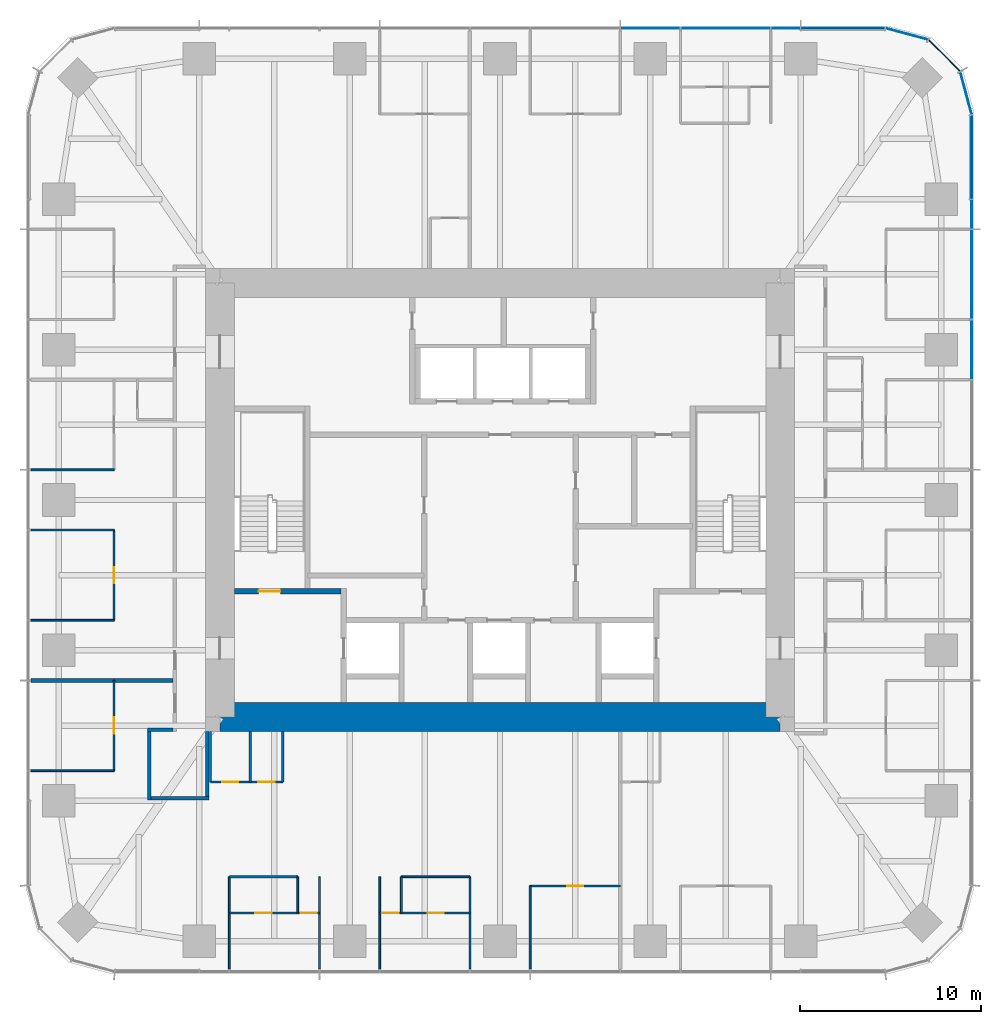
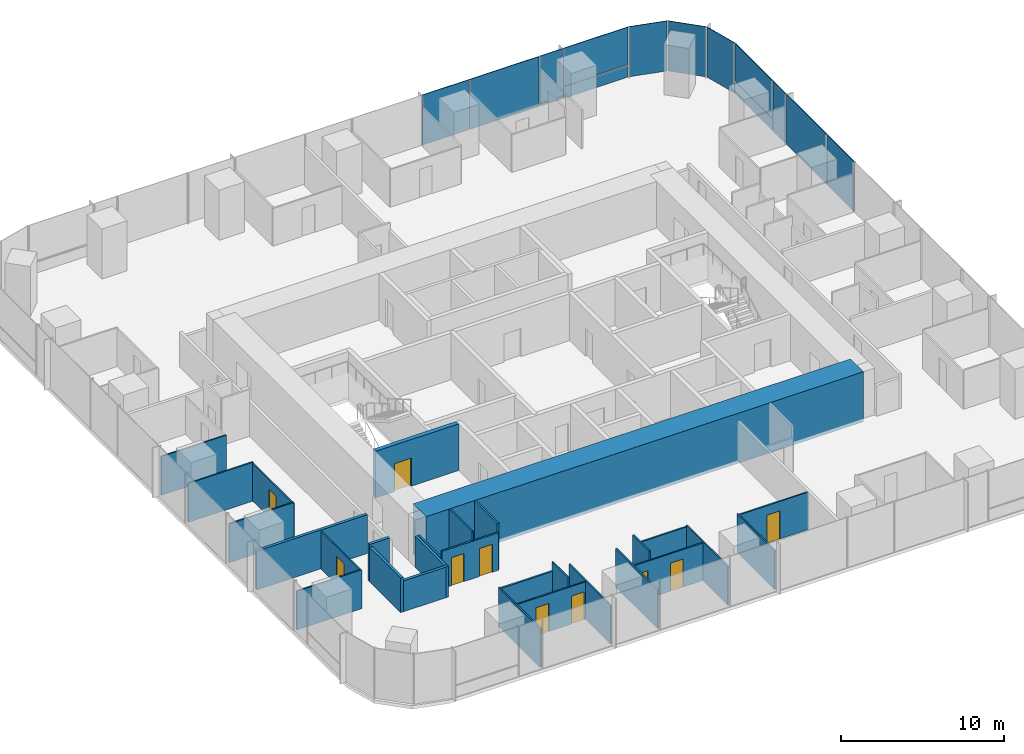
# One storey, part 8 of 12: 29 walls, 13 plates, 10 doors, 10 openings, 3 elements without a shape of their own.
"""IFC4 building model written with IfcOpenShell, lengths in metres."""

from ifc_helpers import new_model, si_unit, direction, frame, frame_2d, origin, origin_2d, place, context, subcontext, project, spatial, rectangle, extrude, material, layer, layer_set, type_object, element, fill, aggregate, save


model = new_model("IFC4")

# Units and contexts
model_context = context("Model", 3, precision=1e-05, world=origin(), true_north=direction((0.0, 1.0)))
body_context = subcontext(model_context, "Body", "Model", "MODEL_VIEW")
ifc_project = project(units=[si_unit("LENGTHUNIT", "METRE"), si_unit("AREAUNIT", "SQUARE_METRE"), si_unit("VOLUMEUNIT", "CUBIC_METRE"), si_unit("PLANEANGLEUNIT", "RADIAN"), si_unit("MASSUNIT", "GRAM", prefix="KILO")], contexts=[model_context])

# Site, building, storey
site_placement = place(None, origin())
site = spatial("IfcSite", under=ifc_project, at=site_placement, CompositionType="ELEMENT")
building_placement = place(site_placement, origin())
building = spatial("IfcBuilding", under=site, at=building_placement, Name="Khuree Lantern Residences", CompositionType="ELEMENT")
storey_placement = place(building_placement, frame((0.0, 0.0, 229.5)))
storey = spatial("IfcBuildingStorey", under=building, at=storey_placement, Name="L57", CompositionType="ELEMENT", Elevation=229.5)

# Curtain wall, plates
ifc_material_1 = material(Name="Bronze anodised aluminium", Category="aluminium")
curtain_wall_type_1 = type_object("IfcCurtainWallType", Name="CW-T2 TOWER CORNER CURTAIN WALL", PredefinedType="USERDEFINED", material=ifc_material_1)
curtain_wall_1_placement = place(storey_placement, origin())
curtain_wall_1 = element("IfcCurtainWall", 1, at=curtain_wall_1_placement, inside=storey, type_object=curtain_wall_type_1, Name="L57 NORTH-EAST CORNER CURTAIN WALL", ObjectType="Faceted corner curtain wall", PredefinedType="USERDEFINED")
ifc_material_2 = material(Name="Bronze tinted triple glazing", Category="glass")
ifc_layer_1 = layer(ifc_material_2, 0.048095703125)
ifc_layer_set_1 = layer_set([ifc_layer_1], Name="FACET PANEL P4")
plate_type_1 = type_object("IfcPlateType", Name="FACET PANEL P4", PredefinedType="CURTAIN_PANEL", material=ifc_layer_set_1)
plate_1_placement = place(storey_placement, frame((25.779052734375, 22.498046875, 0.0), z_axis=(0.0, 0.0, 1.0), x_axis=(-0.258819021888, 0.965925832509, 0.0)))
plate_1 = element("IfcPlate", 2, at=plate_1_placement, type_object=plate_type_1, Name="L57 NORTH-EAST CORNER PANEL 15.1", PredefinedType="CURTAIN_PANEL", context=body_context, shape_type="SweptSolid", body=[
    extrude(rectangle(XDim=2.40869140625, YDim=0.048095703125, at=origin_2d()), origin(), (0.0, 0.0, 1.0), 3.75),
])
plate_2_placement = place(storey_placement, frame((24.578369140625, 24.578369140625, 0.0), z_axis=(0.0, 0.0, 1.0), x_axis=(-0.707106781187, 0.707106781187, 0.0)))
plate_2 = element("IfcPlate", 3, at=plate_2_placement, type_object=plate_type_1, Name="L57 NORTH-EAST CORNER PANEL 16.1", PredefinedType="CURTAIN_PANEL", context=body_context, shape_type="SweptSolid", body=[
    extrude(rectangle(XDim=2.404541015625, YDim=0.048095703125, at=origin_2d()), origin(), (0.0, 0.0, 1.0), 3.75),
])
plate_3_placement = place(storey_placement, frame((22.498046875, 25.779052734375, 0.0), z_axis=(0.0, 0.0, 1.0), x_axis=(-0.965925832509, 0.258819021888, 0.0)))
plate_3 = element("IfcPlate", 4, at=plate_3_placement, type_object=plate_type_1, Name="L57 NORTH-EAST CORNER PANEL 17.1", PredefinedType="CURTAIN_PANEL", context=body_context, shape_type="SweptSolid", body=[
    extrude(rectangle(XDim=2.40869140625, YDim=0.048095703125, at=origin_2d()), origin(), (0.0, 0.0, 1.0), 3.75),
])
aggregate(curtain_wall_1, [plate_1, plate_2, plate_3])

# Curtain wall, plate
curtain_wall_type_2 = type_object("IfcCurtainWallType", Name="CW-T1 TOWER FACE CURTAIN WALL", PredefinedType="USERDEFINED", material=ifc_material_1)
curtain_wall_2_placement = place(storey_placement, origin())
curtain_wall_2 = element("IfcCurtainWall", 5, at=curtain_wall_2_placement, inside=storey, type_object=curtain_wall_type_2, Name="L57 EAST FACE CURTAIN WALL", ObjectType="Stick-built curtain wall", PredefinedType="USERDEFINED")
ifc_material_3 = material(Name="Bronze tinted triple glazing with a ceramic-fritted spandrel band", Category="glass")
ifc_layer_2 = layer(ifc_material_3, 0.048095703125)
ifc_layer_set_2 = layer_set([ifc_layer_2], Name="FIXED LIGHT PANEL P11")
plate_type_2 = type_object("IfcPlateType", Name="FIXED LIGHT PANEL P11", PredefinedType="CURTAIN_PANEL", material=ifc_layer_set_2)
plate_4_placement = place(storey_placement, frame((26.10009765625, 12.47998046875, 0.0), z_axis=(0.0, 0.0, 1.0), x_axis=(0.0, 1.0, 0.0)))
plate_4 = element("IfcPlate", 6, at=plate_4_placement, type_object=plate_type_2, Name="L57 EAST FACE PANEL 12.1", PredefinedType="CURTAIN_PANEL", context=body_context, shape_type="SweptSolid", body=[
    extrude(rectangle(XDim=4.927001953125, YDim=0.048095703125, at=origin_2d()), origin(), (0.0, 0.0, 1.0), 3.75),
])

curtain_wall_3_placement = place(storey_placement, origin())
curtain_wall_3 = element("IfcCurtainWall", 7, at=curtain_wall_3_placement, inside=storey, type_object=curtain_wall_type_2, Name="L57 NORTH FACE CURTAIN WALL", ObjectType="Stick-built curtain wall", PredefinedType="USERDEFINED")
plate_5_placement = place(storey_placement, frame((12.47998046875, 26.10009765625, 0.0), z_axis=(0.0, 0.0, 1.0), x_axis=(-1.0, 0.0, 0.0)))
plate_5 = element("IfcPlate", 8, at=plate_5_placement, type_object=plate_type_2, Name="L57 NORTH FACE PANEL 20.1", PredefinedType="CURTAIN_PANEL", context=body_context, shape_type="SweptSolid", body=[
    extrude(rectangle(XDim=4.927001953125, YDim=0.048095703125, at=origin_2d()), origin(), (0.0, 0.0, 1.0), 3.75),
])

# Plate
ifc_material_4 = material(Name="Bronze tinted triple glazing, two aluminium-framed sashes in one frame", Category="aluminium")
ifc_layer_3 = layer(ifc_material_4, 0.048095703125)
ifc_layer_set_3 = layer_set([ifc_layer_3], Name="SASH PAIR PANEL P12")
plate_type_3 = type_object("IfcPlateType", Name="SASH PAIR PANEL P12", PredefinedType="CURTAIN_PANEL", material=ifc_layer_set_3)
plate_6_placement = place(storey_placement, frame((26.10009765625, 8.320068359375, 0.0), z_axis=(0.0, 0.0, 1.0), x_axis=(0.0, 1.0, 0.0)))
plate_6 = element("IfcPlate", 9, at=plate_6_placement, type_object=plate_type_3, Name="L57 EAST FACE PANEL 11.1", PredefinedType="CURTAIN_PANEL", context=body_context, shape_type="SweptSolid", body=[
    extrude(rectangle(XDim=3.262939453125, YDim=0.048095703125, at=origin_2d()), origin(), (0.0, 0.0, 1.0), 3.75),
])

plate_7_placement = place(storey_placement, frame((8.320068359375, 26.10009765625, 0.0), z_axis=(0.0, 0.0, 1.0), x_axis=(-1.0, 0.0, 0.0)))
plate_7 = element("IfcPlate", 10, at=plate_7_placement, type_object=plate_type_3, Name="L57 NORTH FACE PANEL 21.1", PredefinedType="CURTAIN_PANEL", context=body_context, shape_type="SweptSolid", body=[
    extrude(rectangle(XDim=3.262939453125, YDim=0.048095703125, at=origin_2d()), origin(), (0.0, 0.0, 1.0), 3.75),
])

ifc_material_5 = material(Name="Bronze tinted triple glazing, aluminium-framed sash", Category="aluminium")
ifc_layer_4 = layer(ifc_material_5, 0.048095703125)
ifc_layer_set_4 = layer_set([ifc_layer_4], Name="SASH PANEL P3")
plate_type_4 = type_object("IfcPlateType", Name="SASH PANEL P3", PredefinedType="CURTAIN_PANEL", material=ifc_layer_set_4)
plate_8_placement = place(storey_placement, frame((26.10009765625, 15.80810546875, 0.0), z_axis=(0.0, 0.0, 1.0), x_axis=(0.0, 1.0, 0.0)))
plate_8 = element("IfcPlate", 11, at=plate_8_placement, type_object=plate_type_4, Name="L57 EAST FACE PANEL 13.1", PredefinedType="CURTAIN_PANEL", context=body_context, shape_type="SweptSolid", body=[
    extrude(rectangle(XDim=1.59912109375, YDim=0.048095703125, at=origin_2d()), origin(), (0.0, 0.0, 1.0), 3.75),
])

plate_9_placement = place(storey_placement, frame((15.80810546875, 26.10009765625, 0.0), z_axis=(0.0, 0.0, 1.0), x_axis=(-1.0, 0.0, 0.0)))
plate_9 = element("IfcPlate", 12, at=plate_9_placement, type_object=plate_type_4, Name="L57 NORTH FACE PANEL 19.1", PredefinedType="CURTAIN_PANEL", context=body_context, shape_type="SweptSolid", body=[
    extrude(rectangle(XDim=1.59912109375, YDim=0.048095703125, at=origin_2d()), origin(), (0.0, 0.0, 1.0), 3.75),
])

ifc_material_6 = material(Name="Bronze anodised aluminium insulated spandrel", Category="aluminium")
ifc_layer_5 = layer(ifc_material_6, 0.06005859375)
ifc_layer_set_5 = layer_set([ifc_layer_5], Name="SPANDREL PANEL P2")
plate_type_5 = type_object("IfcPlateType", Name="SPANDREL PANEL P2", PredefinedType="CURTAIN_PANEL", material=ifc_layer_set_5)
plate_10_placement = place(storey_placement, frame((26.10009765625, 18.9677734375, 0.0), z_axis=(0.0, 0.0, 1.0), x_axis=(0.0, 1.0, 0.0)))
plate_10 = element("IfcPlate", 13, at=plate_10_placement, type_object=plate_type_5, Name="L57 EAST FACE PANEL 14.1", PredefinedType="CURTAIN_PANEL", context=body_context, shape_type="SweptSolid", body=[
    extrude(rectangle(XDim=4.5908203125, YDim=0.06005859375, at=origin_2d()), origin(), (0.0, 0.0, 1.0), 0.867431640625),
])

plate_11_placement = place(storey_placement, frame((18.9677734375, 26.10009765625, 0.0), z_axis=(0.0, 0.0, 1.0), x_axis=(-1.0, 0.0, 0.0)))
plate_11 = element("IfcPlate", 14, at=plate_11_placement, type_object=plate_type_5, Name="L57 NORTH FACE PANEL 18.1", PredefinedType="CURTAIN_PANEL", context=body_context, shape_type="SweptSolid", body=[
    extrude(rectangle(XDim=4.5908203125, YDim=0.06005859375, at=origin_2d()), origin(), (0.0, 0.0, 1.0), 0.867431640625),
])

ifc_layer_6 = layer(ifc_material_2, 0.048095703125)
ifc_layer_set_6 = layer_set([ifc_layer_6], Name="VISION PANEL P1")
plate_type_6 = type_object("IfcPlateType", Name="VISION PANEL P1", PredefinedType="CURTAIN_PANEL", material=ifc_layer_set_6)
plate_12_placement = place(storey_placement, frame((26.10009765625, 18.96826171875, 0.9326171875), z_axis=(0.0, 0.0, 1.0), x_axis=(0.0, 1.0, 0.0)))
plate_12 = element("IfcPlate", 15, at=plate_12_placement, type_object=plate_type_6, Name="L57 EAST FACE PANEL 14.2", PredefinedType="CURTAIN_PANEL", context=body_context, shape_type="SweptSolid", body=[
    extrude(rectangle(XDim=4.591552734375, YDim=0.048095703125, at=origin_2d()), origin(), (0.0, 0.0, 1.0), 2.8173828125),
])

aggregate(curtain_wall_2, [plate_6, plate_4, plate_8, plate_10, plate_12])

plate_13_placement = place(storey_placement, frame((18.96826171875, 26.10009765625, 0.9326171875), z_axis=(0.0, 0.0, 1.0), x_axis=(-1.0, 0.0, 0.0)))
plate_13 = element("IfcPlate", 16, at=plate_13_placement, type_object=plate_type_6, Name="L57 NORTH FACE PANEL 18.2", PredefinedType="CURTAIN_PANEL", context=body_context, shape_type="SweptSolid", body=[
    extrude(rectangle(XDim=4.591552734375, YDim=0.048095703125, at=origin_2d()), origin(), (0.0, 0.0, 1.0), 2.8173828125),
])

aggregate(curtain_wall_3, [plate_11, plate_13, plate_9, plate_5, plate_7])

# Wall
ifc_material_7 = material(Name="Moisture-resistant gypsum board on steel studs", Category="steel")
ifc_layer_7 = layer(ifc_material_7, 0.125)
ifc_layer_set_7 = layer_set([ifc_layer_7], Name="BATHROOM WALL BTW125")
wall_type_1 = type_object("IfcWallType", Name="BATHROOM WALL BTW125", PredefinedType="PARTITIONING", material=ifc_layer_set_7)
wall_1_placement = place(storey_placement, frame((-14.97607421875, -20.844970703125, 0.0), z_axis=(0.0, 0.0, 1.0), x_axis=(1.0, 0.0, 0.0)))
element("IfcWall", 17, at=wall_1_placement, inside=storey, type_object=wall_type_1, Name="L57 BATHROOM WALL 05", PredefinedType="PARTITIONING", context=body_context, shape_type="SweptSolid", body=[
    extrude(rectangle(XDim=3.7919921875, YDim=0.125, at=frame_2d((1.89599609375, 0.0))), origin(), (0.0, 0.0, 1.0), 2.81005859375),
])

# Wall, openings, doors
wall_2_placement = place(storey_placement, frame((-16.0166015625, -15.60009765625, 0.0), z_axis=(0.0, 0.0, 1.0), x_axis=(1.0, 0.0, 0.0)))
wall_2 = element("IfcWall", 18, at=wall_2_placement, inside=storey, type_object=wall_type_1, Name="L57 BATHROOM WALL 05", PredefinedType="PARTITIONING", context=body_context, shape_type="SweptSolid", body=[
    extrude(rectangle(XDim=4.0, YDim=0.125, at=frame_2d((2.0, 0.0))), origin(), (0.0, 0.0, 1.0), 2.81005859375),
])
opening_1_placement = place(wall_2_placement, frame((0.64990234375, 0.0, 0.0)))
opening_1 = element("IfcOpeningElement", 19, at=opening_1_placement, cuts=wall_2, Name="Opening 57-049", PredefinedType="OPENING", context=body_context, shape_type="SweptSolid", body=[
    extrude(rectangle(XDim=0.89990234375, YDim=2.10009765625, at=frame_2d((0.449951171875, 1.050048828125))), frame((0.0, 0.072509765625, 0.0), z_axis=(0.0, -1.0, 0.0), x_axis=(1.0, 0.0, 0.0)), (0.0, 0.0, 1.0), 0.14501953125),
])
opening_2_placement = place(wall_2_placement, frame((2.64990234375, 0.0, 0.0)))
opening_2 = element("IfcOpeningElement", 20, at=opening_2_placement, cuts=wall_2, Name="Opening 57-050", PredefinedType="OPENING", context=body_context, shape_type="SweptSolid", body=[
    extrude(rectangle(XDim=0.89990234375, YDim=2.10009765625, at=frame_2d((0.449951171875, 1.050048828125))), frame((0.0, 0.072509765625, 0.0), z_axis=(0.0, -1.0, 0.0), x_axis=(1.0, 0.0, 0.0)), (0.0, 0.0, 1.0), 0.14501953125),
])
ifc_material_8 = material(Name="Timber door leaf in hardwood frame", Category="wood")
door_type_1 = type_object("IfcDoorType", Name="BATHROOM DOOR 900X2100", OperationType="SINGLE_SWING_LEFT", PredefinedType="DOOR", material=ifc_material_8)
door_1_placement = place(opening_1_placement, origin())
door_1 = element("IfcDoor", 21, at=door_1_placement, inside=storey, type_object=door_type_1, Name="Bathroom door 57-049", OperationType="SINGLE_SWING_LEFT", OverallHeight=2.10009765625, OverallWidth=0.89990234375, PredefinedType="DOOR", context=body_context, shape_type="SweptSolid", body=[
    extrude(rectangle(XDim=0.89990234375, YDim=2.10009765625, at=frame_2d((0.449951171875, 1.050048828125))), frame((0.0, 0.02490234375, 0.0), z_axis=(0.0, -1.0, 0.0), x_axis=(1.0, 0.0, 0.0)), (0.0, 0.0, 1.0), 0.050048828125),
])
fill(opening_1, door_1)
door_type_2 = type_object("IfcDoorType", Name="DOOR 900X2100", OperationType="SINGLE_SWING_LEFT", PredefinedType="DOOR", material=ifc_material_8)
door_2_placement = place(opening_2_placement, origin())
door_2 = element("IfcDoor", 22, at=door_2_placement, inside=storey, type_object=door_type_2, Name="Store door 57-050", OperationType="SINGLE_SWING_LEFT", OverallHeight=2.10009765625, OverallWidth=0.89990234375, PredefinedType="DOOR", context=body_context, shape_type="SweptSolid", body=[
    extrude(rectangle(XDim=0.89990234375, YDim=2.10009765625, at=frame_2d((0.449951171875, 1.050048828125))), frame((0.0, 0.02490234375, 0.0), z_axis=(0.0, -1.0, 0.0), x_axis=(1.0, 0.0, 0.0)), (0.0, 0.0, 1.0), 0.050048828125),
])
fill(opening_2, door_2)

# Walls
wall_3_placement = place(storey_placement, frame((-16.0166015625, -12.800048828125, 0.0), z_axis=(0.0, 0.0, 1.0), x_axis=(0.0, -1.0, 0.0)))
element("IfcWall", 23, at=wall_3_placement, inside=storey, type_object=wall_type_1, Name="L57 BATHROOM WALL 05", PredefinedType="PARTITIONING", context=body_context, shape_type="SweptSolid", body=[
    extrude(rectangle(XDim=2.800048828125, YDim=0.125, at=frame_2d((1.39990234375, 0.0))), origin(), (0.0, 0.0, 1.0), 2.300048828125),
])
for number, where, z_axis, x_axis, name in (
    (24, (-13.81640625, -12.800048828125, 0.0), (0.0, 0.0, 1.0), (0.0, -1.0, 0.0), "L57 BATHROOM WALL 05"),
    (25, (-12.0166015625, -12.800048828125, 0.0), (0.0, 0.0, 1.0), (0.0, -1.0, 0.0), "L57 BATHROOM WALL 05"),
):
    element("IfcWall", number, at=place(storey_placement, frame(where, z_axis=z_axis, x_axis=x_axis)), inside=storey, type_object=wall_type_1, Name=name, PredefinedType="PARTITIONING", context=body_context, shape_type="SweptSolid", body=[
        extrude(rectangle(XDim=2.800048828125, YDim=0.125, at=frame_2d((1.39990234375, 0.0))), origin(), (0.0, 0.0, 1.0), 3.5),
    ])
ifc_material_9 = material(Name="Gypsum board on steel studs", Category="steel")
ifc_layer_8 = layer(ifc_material_9, 0.199951171875)
ifc_layer_set_8 = layer_set([ifc_layer_8], Name="CORRIDOR WALL CRW200 EI 60")
wall_type_2 = type_object("IfcWallType", Name="CORRIDOR WALL CRW200 EI 60", PredefinedType="PARTITIONING", material=ifc_layer_set_8)
wall_4_placement = place(storey_placement, frame((-18.10009765625, -12.699951171875, 0.0), z_axis=(0.0, 0.0, 1.0), x_axis=(-1.0, 0.0, 0.0)))
element("IfcWall", 26, at=wall_4_placement, inside=storey, type_object=wall_type_2, Name="L57 RESIDENTS LOUNGE WALL", PredefinedType="PARTITIONING", context=body_context, shape_type="SweptSolid", body=[
    extrude(rectangle(XDim=1.39990234375, YDim=0.199951171875, at=frame_2d((0.699951171875, 0.0))), origin(), (0.0, 0.0, 1.0), 2.81005859375),
])
wall_5_placement = place(storey_placement, frame((-19.39990234375, -12.60009765625, 0.0), z_axis=(0.0, 0.0, 1.0), x_axis=(0.0, -1.0, 0.0)))
element("IfcWall", 27, at=wall_5_placement, inside=storey, type_object=wall_type_2, Name="L57 RESIDENTS LOUNGE WALL", PredefinedType="PARTITIONING", context=body_context, shape_type="SweptSolid", body=[
    extrude(rectangle(XDim=4.0, YDim=0.199951171875, at=frame_2d((2.0, 0.0))), origin(), (0.0, 0.0, 1.0), 2.60009765625),
])
wall_6_placement = place(storey_placement, frame((-19.300048828125, -16.5, 0.0), z_axis=(0.0, 0.0, 1.0), x_axis=(1.0, 0.0, 0.0)))
element("IfcWall", 28, at=wall_6_placement, inside=storey, type_object=wall_type_2, Name="L57 RESIDENTS LOUNGE WALL", PredefinedType="PARTITIONING", context=body_context, shape_type="SweptSolid", body=[
    extrude(rectangle(XDim=3.199951171875, YDim=0.199951171875, at=frame_2d((1.60009765625, 0.0))), origin(), (0.0, 0.0, 1.0), 2.300048828125),
])
wall_7_placement = place(storey_placement, frame((-16.199951171875, -16.60009765625, 0.0), z_axis=(0.0, 0.0, 1.0), x_axis=(0.0, 1.0, 0.0)))
element("IfcWall", 29, at=wall_7_placement, inside=storey, type_object=wall_type_2, Name="L57 RESIDENTS LOUNGE WALL", PredefinedType="PARTITIONING", context=body_context, shape_type="SweptSolid", body=[
    extrude(rectangle(XDim=3.800048828125, YDim=0.199951171875, at=frame_2d((1.89990234375, 0.0))), origin(), (0.0, 0.0, 1.0), 2.300048828125),
])
ifc_material_10 = material(Name="Concrete C50/60", Category="concrete")
ifc_layer_9 = layer(ifc_material_10, 1.60009765625)
ifc_layer_set_9 = layer_set([ifc_layer_9], Name="CW1600-C50 CORE WALL C50 1600")
wall_type_3 = type_object("IfcWallType", Name="CW1600-C50 CORE WALL C50 1600", PredefinedType="SHEAR", material=ifc_layer_set_9)
wall_8_placement = place(storey_placement, frame((-15.5, -12.0, -0.25), z_axis=(0.0, 0.0, 1.0), x_axis=(1.0, 0.0, 0.0)))
element("IfcWall", 30, at=wall_8_placement, inside=storey, type_object=wall_type_3, Name="Core wall S", PredefinedType="SHEAR", context=body_context, shape_type="SweptSolid", body=[
    extrude(rectangle(XDim=31.0, YDim=1.60009765625, at=frame_2d((15.5, 0.0))), origin(), (0.0, 0.0, 1.0), 3.75),
])
ifc_layer_10 = layer(ifc_material_9, 0.199951171875)
ifc_layer_set_10 = layer_set([ifc_layer_10], Name="DEMISING WALL DMW200 EI 90")
wall_type_4 = type_object("IfcWallType", Name="DEMISING WALL DMW200 EI 90", PredefinedType="PARTITIONING", material=ifc_layer_set_10)
wall_9_placement = place(storey_placement, frame((-18.10009765625, -9.98388671875, 0.0), z_axis=(0.0, 0.0, 1.0), x_axis=(-1.0, 0.0, 0.0)))
element("IfcWall", 31, at=wall_9_placement, inside=storey, type_object=wall_type_4, Name="L57 DEMISING WALL 05", PredefinedType="PARTITIONING", context=body_context, shape_type="SweptSolid", body=[
    extrude(rectangle(XDim=7.849853515625, YDim=0.199951171875, at=frame_2d((3.9248046875, 0.0))), origin(), (0.0, 0.0, 1.0), 2.909912109375),
])
ifc_layer_11 = layer(ifc_material_9, 0.10009765625)
ifc_layer_set_11 = layer_set([ifc_layer_11], Name="PARTITION PT100")
wall_type_5 = type_object("IfcWallType", Name="PARTITION PT100", PredefinedType="PARTITIONING", material=ifc_layer_set_11)
for number, where, z_axis, x_axis, name in (
    (32, (-21.35009765625, 1.6640625, 0.0), (0.0, 0.0, 1.0), (-1.0, 0.0, 0.0), "L57 PARTITION 04"),
    (33, (-21.35009765625, -1.6640625, 0.0), (0.0, 0.0, 1.0), (-1.0, 0.0, 0.0), "L57 PARTITION 04"),
    (34, (-21.35009765625, -6.656005859375, 0.0), (0.0, 0.0, 1.0), (-1.0, 0.0, 0.0), "L57 PARTITION 04"),
    (35, (-21.35009765625, -14.97607421875, 0.0), (0.0, 0.0, 1.0), (-1.0, 0.0, 0.0), "L57 PARTITION 05"),
):
    element("IfcWall", number, at=place(storey_placement, frame(where, z_axis=z_axis, x_axis=x_axis)), inside=storey, type_object=wall_type_5, Name=name, PredefinedType="PARTITIONING", context=body_context, shape_type="SweptSolid", body=[
        extrude(rectangle(XDim=4.599853515625, YDim=0.10009765625, at=frame_2d((2.2998046875, 0.0))), origin(), (0.0, 0.0, 1.0), 2.909912109375),
    ])
for number, where, z_axis, x_axis, name in (
    (36, (-14.97607421875, -20.844970703125, 0.0), (0.0, 0.0, 1.0), (0.0, -1.0, 0.0), "L57 PARTITION 05"),
    (37, (-9.98388671875, -20.844970703125, 0.0), (0.0, 0.0, 1.0), (0.0, -1.0, 0.0), "L57 PARTITION 05"),
    (38, (-6.656005859375, -20.844970703125, 0.0), (0.0, 0.0, 1.0), (0.0, -1.0, 0.0), "L57 PARTITION 05"),
    (39, (-1.6640625, -20.844970703125, 0.0), (0.0, 0.0, 1.0), (0.0, -1.0, 0.0), "L57 PARTITION 05"),
):
    element("IfcWall", number, at=place(storey_placement, frame(where, z_axis=z_axis, x_axis=x_axis)), inside=storey, type_object=wall_type_5, Name=name, PredefinedType="PARTITIONING", context=body_context, shape_type="SweptSolid", body=[
        extrude(rectangle(XDim=5.10498046875, YDim=0.10009765625, at=frame_2d((2.552490234375, 0.0))), origin(), (0.0, 0.0, 1.0), 2.909912109375),
    ])
wall_10_placement = place(storey_placement, frame((1.6640625, -21.35009765625, 0.0), z_axis=(0.0, 0.0, 1.0), x_axis=(0.0, -1.0, 0.0)))
element("IfcWall", 40, at=wall_10_placement, inside=storey, type_object=wall_type_5, Name="L57 PARTITION 05", PredefinedType="PARTITIONING", context=body_context, shape_type="SweptSolid", body=[
    extrude(rectangle(XDim=4.599853515625, YDim=0.10009765625, at=frame_2d((2.2998046875, 0.0))), origin(), (0.0, 0.0, 1.0), 2.909912109375),
])

# Wall, opening, door
wall_11_placement = place(storey_placement, frame((-21.35009765625, -1.6640625, 0.0), z_axis=(0.0, 0.0, 1.0), x_axis=(0.0, -1.0, 0.0)))
wall_11 = element("IfcWall", 41, at=wall_11_placement, inside=storey, type_object=wall_type_5, Name="L57 PARTITION 04", PredefinedType="PARTITIONING", context=body_context, shape_type="SweptSolid", body=[
    extrude(rectangle(XDim=4.991943359375, YDim=0.10009765625, at=frame_2d((2.49609375, 0.0))), origin(), (0.0, 0.0, 1.0), 2.81005859375),
])
opening_3_placement = place(wall_11_placement, frame((2.0458984375, 0.0, 0.0)))
opening_3 = element("IfcOpeningElement", 42, at=opening_3_placement, cuts=wall_11, Name="Opening 57-040", PredefinedType="OPENING", context=body_context, shape_type="SweptSolid", body=[
    extrude(rectangle(XDim=0.89990234375, YDim=2.10009765625, at=frame_2d((0.449951171875, 1.050048828125))), frame((0.0, 0.06005859375, 0.0), z_axis=(0.0, -1.0, 0.0), x_axis=(1.0, 0.0, 0.0)), (0.0, 0.0, 1.0), 0.1201171875),
])
door_type_3 = type_object("IfcDoorType", Name="BEDROOM DOOR 900X2100", OperationType="SINGLE_SWING_LEFT", PredefinedType="DOOR", material=ifc_material_8)
door_3_placement = place(opening_3_placement, origin())
door_3 = element("IfcDoor", 43, at=door_3_placement, inside=storey, type_object=door_type_3, Name="Bedroom door 57-040", OperationType="SINGLE_SWING_LEFT", OverallHeight=2.10009765625, OverallWidth=0.89990234375, PredefinedType="DOOR", context=body_context, shape_type="SweptSolid", body=[
    extrude(rectangle(XDim=0.89990234375, YDim=2.10009765625, at=frame_2d((0.449951171875, 1.050048828125))), frame((0.0, 0.02490234375, 0.0), z_axis=(0.0, -1.0, 0.0), x_axis=(1.0, 0.0, 0.0)), (0.0, 0.0, 1.0), 0.050048828125),
])
fill(opening_3, door_3)

wall_12_placement = place(storey_placement, frame((-21.35009765625, -9.98388671875, 0.0), z_axis=(0.0, 0.0, 1.0), x_axis=(0.0, -1.0, 0.0)))
wall_12 = element("IfcWall", 44, at=wall_12_placement, inside=storey, type_object=wall_type_5, Name="L57 PARTITION 05", PredefinedType="PARTITIONING", context=body_context, shape_type="SweptSolid", body=[
    extrude(rectangle(XDim=4.9921875, YDim=0.10009765625, at=frame_2d((2.49609375, 0.0))), origin(), (0.0, 0.0, 1.0), 2.81005859375),
])
opening_4_placement = place(wall_12_placement, frame((2.0458984375, 0.0, 0.0)))
opening_4 = element("IfcOpeningElement", 45, at=opening_4_placement, cuts=wall_12, Name="Opening 57-043", PredefinedType="OPENING", context=body_context, shape_type="SweptSolid", body=[
    extrude(rectangle(XDim=0.89990234375, YDim=2.10009765625, at=frame_2d((0.449951171875, 1.050048828125))), frame((0.0, 0.06005859375, 0.0), z_axis=(0.0, -1.0, 0.0), x_axis=(1.0, 0.0, 0.0)), (0.0, 0.0, 1.0), 0.1201171875),
])
door_4_placement = place(opening_4_placement, origin())
door_4 = element("IfcDoor", 46, at=door_4_placement, inside=storey, type_object=door_type_3, Name="Bedroom door 57-043", OperationType="SINGLE_SWING_LEFT", OverallHeight=2.10009765625, OverallWidth=0.89990234375, PredefinedType="DOOR", context=body_context, shape_type="SweptSolid", body=[
    extrude(rectangle(XDim=0.89990234375, YDim=2.10009765625, at=frame_2d((0.449951171875, 1.050048828125))), frame((0.0, 0.02490234375, 0.0), z_axis=(0.0, -1.0, 0.0), x_axis=(1.0, 0.0, 0.0)), (0.0, 0.0, 1.0), 0.050048828125),
])
fill(opening_4, door_4)

# Wall, openings, doors
wall_13_placement = place(storey_placement, frame((-14.97607421875, -22.844970703125, 0.0), z_axis=(0.0, 0.0, 1.0), x_axis=(1.0, 0.0, 0.0)))
wall_13 = element("IfcWall", 47, at=wall_13_placement, inside=storey, type_object=wall_type_5, Name="L57 PARTITION 05", PredefinedType="PARTITIONING", context=body_context, shape_type="SweptSolid", body=[
    extrude(rectangle(XDim=4.9921875, YDim=0.10009765625, at=frame_2d((2.49609375, 0.0))), origin(), (0.0, 0.0, 1.0), 2.81005859375),
])
opening_5_placement = place(wall_13_placement, frame((3.94189453125, 0.0, 0.0)))
opening_5 = element("IfcOpeningElement", 48, at=opening_5_placement, cuts=wall_13, Name="Opening 57-044", PredefinedType="OPENING", context=body_context, shape_type="SweptSolid", body=[
    extrude(rectangle(XDim=0.89990234375, YDim=2.10009765625, at=frame_2d((0.449951171875, 1.050048828125))), frame((0.0, 0.06005859375, 0.0), z_axis=(0.0, -1.0, 0.0), x_axis=(1.0, 0.0, 0.0)), (0.0, 0.0, 1.0), 0.1201171875),
])
opening_6_placement = place(wall_13_placement, frame((1.446044921875, 0.0, 0.0)))
opening_6 = element("IfcOpeningElement", 49, at=opening_6_placement, cuts=wall_13, Name="Opening 57-045", PredefinedType="OPENING", context=body_context, shape_type="SweptSolid", body=[
    extrude(rectangle(XDim=0.89990234375, YDim=2.10009765625, at=frame_2d((0.449951171875, 1.050048828125))), frame((0.0, 0.06005859375, 0.0), z_axis=(0.0, -1.0, 0.0), x_axis=(1.0, 0.0, 0.0)), (0.0, 0.0, 1.0), 0.1201171875),
])
door_5_placement = place(opening_6_placement, origin())
door_5 = element("IfcDoor", 50, at=door_5_placement, inside=storey, type_object=door_type_1, Name="Bathroom door 57-045", OperationType="SINGLE_SWING_LEFT", OverallHeight=2.10009765625, OverallWidth=0.89990234375, PredefinedType="DOOR", context=body_context, shape_type="SweptSolid", body=[
    extrude(rectangle(XDim=0.89990234375, YDim=2.10009765625, at=frame_2d((0.449951171875, 1.050048828125))), frame((0.0, 0.02490234375, 0.0), z_axis=(0.0, -1.0, 0.0), x_axis=(1.0, 0.0, 0.0)), (0.0, 0.0, 1.0), 0.050048828125),
])
fill(opening_6, door_5)
door_6_placement = place(opening_5_placement, origin())
door_6 = element("IfcDoor", 51, at=door_6_placement, inside=storey, type_object=door_type_3, Name="Bedroom door 57-044", OperationType="SINGLE_SWING_LEFT", OverallHeight=2.10009765625, OverallWidth=0.89990234375, PredefinedType="DOOR", context=body_context, shape_type="SweptSolid", body=[
    extrude(rectangle(XDim=0.89990234375, YDim=2.10009765625, at=frame_2d((0.449951171875, 1.050048828125))), frame((0.0, 0.02490234375, 0.0), z_axis=(0.0, -1.0, 0.0), x_axis=(1.0, 0.0, 0.0)), (0.0, 0.0, 1.0), 0.050048828125),
])
fill(opening_5, door_6)

# Wall
wall_14_placement = place(storey_placement, frame((-11.18408203125, -20.844970703125, 0.0), z_axis=(0.0, 0.0, 1.0), x_axis=(0.0, -1.0, 0.0)))
element("IfcWall", 52, at=wall_14_placement, inside=storey, type_object=wall_type_5, Name="L57 PARTITION 05", PredefinedType="PARTITIONING", context=body_context, shape_type="SweptSolid", body=[
    extrude(rectangle(XDim=2.0, YDim=0.10009765625, at=frame_2d((1.0, 0.0))), origin(), (0.0, 0.0, 1.0), 3.5),
])

# Wall, openings, doors
wall_15_placement = place(storey_placement, frame((-6.656005859375, -22.844970703125, 0.0), z_axis=(0.0, 0.0, 1.0), x_axis=(1.0, 0.0, 0.0)))
wall_15 = element("IfcWall", 53, at=wall_15_placement, inside=storey, type_object=wall_type_5, Name="L57 PARTITION 05", PredefinedType="PARTITIONING", context=body_context, shape_type="SweptSolid", body=[
    extrude(rectangle(XDim=4.991943359375, YDim=0.10009765625, at=frame_2d((2.49609375, 0.0))), origin(), (0.0, 0.0, 1.0), 2.81005859375),
])
opening_7_placement = place(wall_15_placement, frame((0.14990234375, 0.0, 0.0)))
opening_7 = element("IfcOpeningElement", 54, at=opening_7_placement, cuts=wall_15, Name="Opening 57-046", PredefinedType="OPENING", context=body_context, shape_type="SweptSolid", body=[
    extrude(rectangle(XDim=0.89990234375, YDim=2.10009765625, at=frame_2d((0.449951171875, 1.050048828125))), frame((0.0, 0.06005859375, 0.0), z_axis=(0.0, -1.0, 0.0), x_axis=(1.0, 0.0, 0.0)), (0.0, 0.0, 1.0), 0.1201171875),
])
opening_8_placement = place(wall_15_placement, frame((2.64599609375, 0.0, 0.0)))
opening_8 = element("IfcOpeningElement", 55, at=opening_8_placement, cuts=wall_15, Name="Opening 57-047", PredefinedType="OPENING", context=body_context, shape_type="SweptSolid", body=[
    extrude(rectangle(XDim=0.89990234375, YDim=2.10009765625, at=frame_2d((0.449951171875, 1.050048828125))), frame((0.0, 0.06005859375, 0.0), z_axis=(0.0, -1.0, 0.0), x_axis=(1.0, 0.0, 0.0)), (0.0, 0.0, 1.0), 0.1201171875),
])
door_7_placement = place(opening_7_placement, origin())
door_7 = element("IfcDoor", 56, at=door_7_placement, inside=storey, type_object=door_type_3, Name="Bedroom door 57-046", OperationType="SINGLE_SWING_LEFT", OverallHeight=2.10009765625, OverallWidth=0.89990234375, PredefinedType="DOOR", context=body_context, shape_type="SweptSolid", body=[
    extrude(rectangle(XDim=0.89990234375, YDim=2.10009765625, at=frame_2d((0.449951171875, 1.050048828125))), frame((0.0, 0.02490234375, 0.0), z_axis=(0.0, -1.0, 0.0), x_axis=(1.0, 0.0, 0.0)), (0.0, 0.0, 1.0), 0.050048828125),
])
fill(opening_7, door_7)
door_8_placement = place(opening_8_placement, origin())
door_8 = element("IfcDoor", 57, at=door_8_placement, inside=storey, type_object=door_type_2, Name="Wardrobe door 57-047", OperationType="SINGLE_SWING_LEFT", OverallHeight=2.10009765625, OverallWidth=0.89990234375, PredefinedType="DOOR", context=body_context, shape_type="SweptSolid", body=[
    extrude(rectangle(XDim=0.89990234375, YDim=2.10009765625, at=frame_2d((0.449951171875, 1.050048828125))), frame((0.0, 0.02490234375, 0.0), z_axis=(0.0, -1.0, 0.0), x_axis=(1.0, 0.0, 0.0)), (0.0, 0.0, 1.0), 0.050048828125),
])
fill(opening_8, door_8)

# Walls
wall_16_placement = place(storey_placement, frame((-5.4560546875, -20.844970703125, 0.0), z_axis=(0.0, 0.0, 1.0), x_axis=(0.0, -1.0, 0.0)))
element("IfcWall", 58, at=wall_16_placement, inside=storey, type_object=wall_type_5, Name="L57 PARTITION 05", PredefinedType="PARTITIONING", context=body_context, shape_type="SweptSolid", body=[
    extrude(rectangle(XDim=2.0, YDim=0.10009765625, at=frame_2d((1.0, 0.0))), origin(), (0.0, 0.0, 1.0), 3.5),
])
wall_17_placement = place(storey_placement, frame((-5.4560546875, -20.844970703125, 0.0), z_axis=(0.0, 0.0, 1.0), x_axis=(1.0, 0.0, 0.0)))
element("IfcWall", 59, at=wall_17_placement, inside=storey, type_object=wall_type_5, Name="L57 PARTITION 05", PredefinedType="PARTITIONING", context=body_context, shape_type="SweptSolid", body=[
    extrude(rectangle(XDim=3.7919921875, YDim=0.10009765625, at=frame_2d((1.89599609375, 0.0))), origin(), (0.0, 0.0, 1.0), 2.81005859375),
])

# Wall, opening, door
wall_18_placement = place(storey_placement, frame((1.6640625, -21.35009765625, 0.0), z_axis=(0.0, 0.0, 1.0), x_axis=(1.0, 0.0, 0.0)))
wall_18 = element("IfcWall", 60, at=wall_18_placement, inside=storey, type_object=wall_type_5, Name="L57 PARTITION 05", PredefinedType="PARTITIONING", context=body_context, shape_type="SweptSolid", body=[
    extrude(rectangle(XDim=4.991943359375, YDim=0.10009765625, at=frame_2d((2.49609375, 0.0))), origin(), (0.0, 0.0, 1.0), 2.81005859375),
])
opening_9_placement = place(wall_18_placement, frame((2.0458984375, 0.0, 0.0)))
opening_9 = element("IfcOpeningElement", 61, at=opening_9_placement, cuts=wall_18, Name="Opening 57-048", PredefinedType="OPENING", context=body_context, shape_type="SweptSolid", body=[
    extrude(rectangle(XDim=0.89990234375, YDim=2.10009765625, at=frame_2d((0.449951171875, 1.050048828125))), frame((0.0, 0.06005859375, 0.0), z_axis=(0.0, -1.0, 0.0), x_axis=(1.0, 0.0, 0.0)), (0.0, 0.0, 1.0), 0.1201171875),
])
door_type_4 = type_object("IfcDoorType", Name="BEDROOM DOOR 900X2100 RIGHT HAND", OperationType="SINGLE_SWING_RIGHT", PredefinedType="DOOR", material=ifc_material_8)
door_9_placement = place(opening_9_placement, origin())
door_9 = element("IfcDoor", 62, at=door_9_placement, inside=storey, type_object=door_type_4, Name="Bedroom door 57-048", OperationType="SINGLE_SWING_RIGHT", OverallHeight=2.10009765625, OverallWidth=0.89990234375, PredefinedType="DOOR", context=body_context, shape_type="SweptSolid", body=[
    extrude(rectangle(XDim=0.89990234375, YDim=2.10009765625, at=frame_2d((0.449951171875, 1.050048828125))), frame((0.0, 0.02490234375, 0.0), z_axis=(0.0, -1.0, 0.0), x_axis=(1.0, 0.0, 0.0)), (0.0, 0.0, 1.0), 0.050048828125),
])
fill(opening_9, door_9)

ifc_layer_12 = layer(ifc_material_10, 0.300048828125)
ifc_layer_set_12 = layer_set([ifc_layer_12], Name="STAIR WALL SRW300 C50/60 REI 240")
wall_type_6 = type_object("IfcWallType", Name="STAIR WALL SRW300 C50/60 REI 240", PredefinedType="SOLIDWALL", material=ifc_layer_set_12)
wall_19_placement = place(storey_placement, frame((-14.699951171875, -5.050048828125, 0.0), z_axis=(0.0, 0.0, 1.0), x_axis=(1.0, 0.0, 0.0)))
wall_19 = element("IfcWall", 63, at=wall_19_placement, inside=storey, type_object=wall_type_6, Name="L57 STAIR WALL ST1S", PredefinedType="SOLIDWALL", context=body_context, shape_type="SweptSolid", body=[
    extrude(rectangle(XDim=5.89990234375, YDim=0.300048828125, at=frame_2d((2.949951171875, 0.0))), origin(), (0.0, 0.0, 1.0), 3.5),
])
opening_10_placement = place(wall_19_placement, frame((1.35009765625, 0.0, 0.0)))
opening_10 = element("IfcOpeningElement", 64, at=opening_10_placement, cuts=wall_19, Name="Opening 57-001", PredefinedType="OPENING", context=body_context, shape_type="SweptSolid", body=[
    extrude(rectangle(XDim=1.199951171875, YDim=2.10009765625, at=frame_2d((0.60009765625, 1.050048828125))), frame((0.0, 0.16015625, 0.0), z_axis=(0.0, -1.0, 0.0), x_axis=(1.0, 0.0, 0.0)), (0.0, 0.0, 1.0), 0.320068359375),
])
ifc_material_11 = material(Name="Steel door leaf in steel frame", Category="steel")
door_type_5 = type_object("IfcDoorType", Name="STAIR DOOR 1200X2100 EI 120", OperationType="SINGLE_SWING_LEFT", PredefinedType="DOOR", material=ifc_material_11)
door_10_placement = place(opening_10_placement, origin())
door_10 = element("IfcDoor", 65, at=door_10_placement, inside=storey, type_object=door_type_5, Name="Stair ST1 door 57-001", OperationType="SINGLE_SWING_LEFT", OverallHeight=2.10009765625, OverallWidth=1.199951171875, PredefinedType="DOOR", context=body_context, shape_type="SweptSolid", body=[
    extrude(rectangle(XDim=1.199951171875, YDim=2.10009765625, at=frame_2d((0.60009765625, 1.050048828125))), frame((0.0, 0.02490234375, 0.0), z_axis=(0.0, -1.0, 0.0), x_axis=(1.0, 0.0, 0.0)), (0.0, 0.0, 1.0), 0.050048828125),
])
fill(opening_10, door_10)

save(model, "model.ifc")
